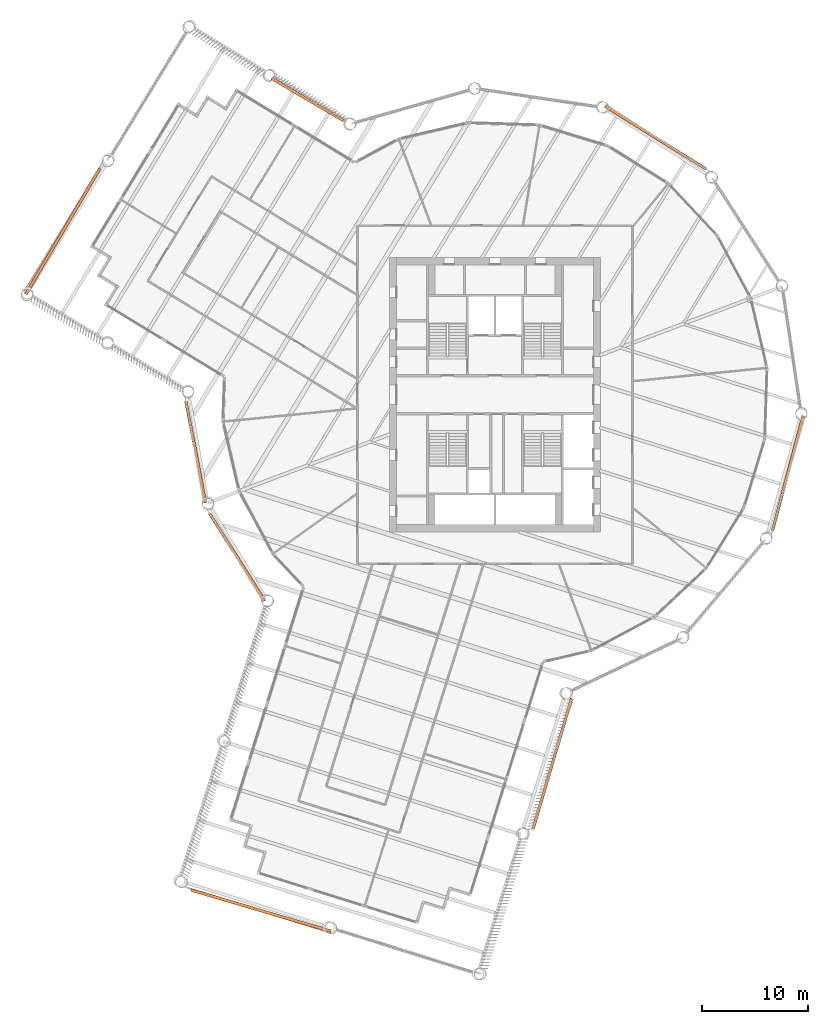
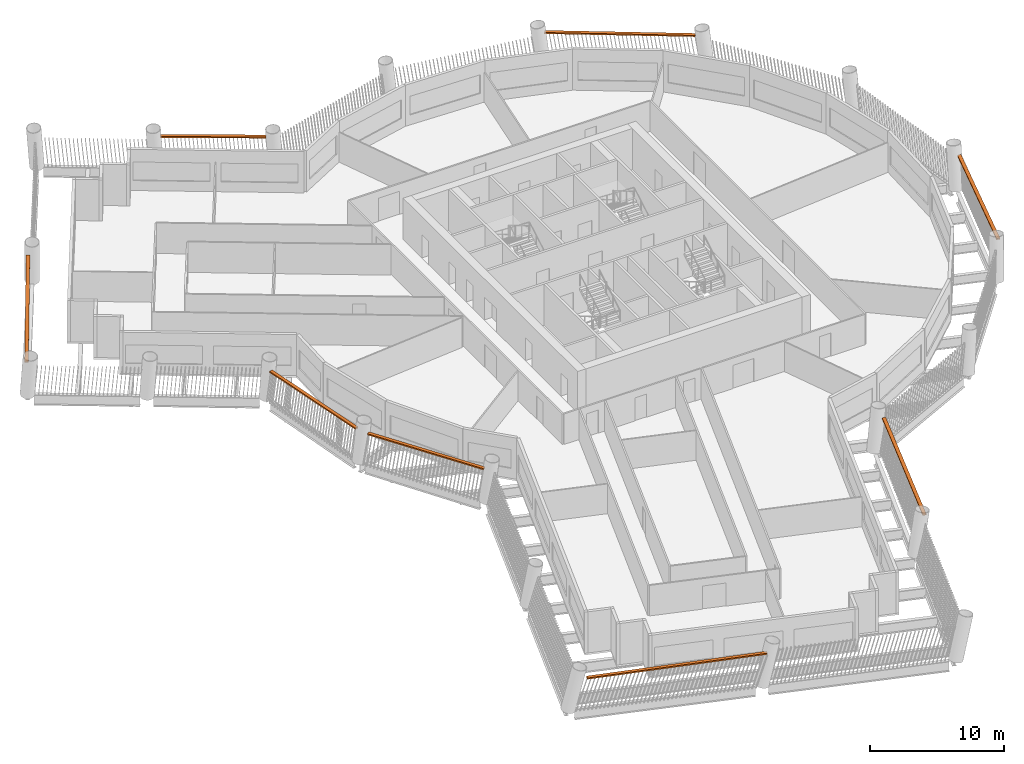
# One storey, part 15 of 15: 8 proxies.
"""IFC4 building model written with IfcOpenShell, lengths in metres."""

from ifc_helpers import new_model, si_unit, direction, frame, origin, origin_2d, place, context, subcontext, project, spatial, rectangle, extrude, material, type_object, element, save


model = new_model("IFC4")

# Units and contexts
model_context = context("Model", 3, precision=1e-05, world=origin(), true_north=direction((0.0, 1.0)))
body_context = subcontext(model_context, "Body", "Model", "MODEL_VIEW")
ifc_project = project(units=[si_unit("LENGTHUNIT", "METRE"), si_unit("AREAUNIT", "SQUARE_METRE"), si_unit("VOLUMEUNIT", "CUBIC_METRE"), si_unit("PLANEANGLEUNIT", "RADIAN"), si_unit("MASSUNIT", "GRAM", prefix="KILO")], contexts=[model_context])

# Site, building, storey
site_placement = place(None, origin())
site = spatial("IfcSite", under=ifc_project, at=site_placement, CompositionType="ELEMENT")
building_placement = place(site_placement, origin())
building = spatial("IfcBuilding", under=site, at=building_placement, Name="Tarsis Ring Headquarters", CompositionType="ELEMENT")
storey_placement = place(building_placement, frame((0.0, 0.0, 151.5)))
storey = spatial("IfcBuildingStorey", under=building, at=storey_placement, Name="L34", CompositionType="ELEMENT", Elevation=151.5)

# Proxies
ifc_material = material(Name="Structural steel S355", Category="steel")
building_element_proxy_type = type_object("IfcBuildingElementProxyType", Name="Screen bracket plate", PredefinedType="USERDEFINED", material=ifc_material)
proxy_1_placement = place(storey_placement, frame((-24.3974609375, -15.378662109375, 2.949951171875), z_axis=(0.0, 0.0, 1.0), x_axis=(0.533245225282, -0.845960714049, 0.0)))
element("IfcBuildingElementProxy", 1, at=proxy_1_placement, inside=storey, type_object=building_element_proxy_type, Name="Screen bracket L34-00", ObjectType="Bracket", PredefinedType="USERDEFINED", context=body_context, shape_type="SweptSolid", body=[
    extrude(rectangle(XDim=9.771728515625, YDim=0.280029296875, at=origin_2d()), origin(), (0.0, 0.0, 1.0), 0.1201171875),
])
proxy_2_placement = place(storey_placement, frame((-22.140869140625, -48.822265625, 2.949951171875), z_axis=(0.0, 0.0, 1.0), x_axis=(0.959017786255, -0.283345876355, 0.0)))
element("IfcBuildingElementProxy", 2, at=proxy_2_placement, inside=storey, type_object=building_element_proxy_type, Name="Screen bracket L34-03", ObjectType="Bracket", PredefinedType="USERDEFINED", context=body_context, shape_type="SweptSolid", body=[
    extrude(rectangle(XDim=13.800048828125, YDim=0.280029296875, at=origin_2d()), origin(), (0.0, 0.0, 1.0), 0.1201171875),
])
proxy_3_placement = place(storey_placement, frame((5.42431640625, -34.91455078125, 2.949951171875), z_axis=(0.0, 0.0, 1.0), x_axis=(0.283345943307, 0.959017766473, 0.0)))
element("IfcBuildingElementProxy", 3, at=proxy_3_placement, inside=storey, type_object=building_element_proxy_type, Name="Screen bracket L34-06", ObjectType="Bracket", PredefinedType="USERDEFINED", context=body_context, shape_type="SweptSolid", body=[
    extrude(rectangle(XDim=12.90234375, YDim=0.280029296875, at=origin_2d()), origin(), (0.0, 0.0, 1.0), 0.1201171875),
])
for number, where, z_axis, x_axis, name in (
    (4, (27.71630859375, -7.412841796875, 2.949951171875), (0.0, 0.0, 1.0), (0.258376311466, 0.966044347674, 0.0), "Screen bracket L34-09"),
    (5, (15.180908203125, 24.34521484375, 2.949951171875), (0.0, 0.0, 1.0), (-0.848544773969, 0.529123583456, 0.0), "Screen bracket L34-12"),
):
    element("IfcBuildingElementProxy", number, at=place(storey_placement, frame(where, z_axis=z_axis, x_axis=x_axis)), inside=storey, type_object=building_element_proxy_type, Name=name, ObjectType="Bracket", PredefinedType="USERDEFINED", context=body_context, shape_type="SweptSolid", body=[
        extrude(rectangle(XDim=11.248779296875, YDim=0.280029296875, at=origin_2d()), origin(), (0.0, 0.0, 1.0), 0.1201171875),
    ])
proxy_4_placement = place(storey_placement, frame((-17.730224609375, 27.939208984375, 2.949951171875), z_axis=(0.0, 0.0, 1.0), x_axis=(-0.86198331445, 0.506936648517, 0.0)))
element("IfcBuildingElementProxy", 6, at=proxy_4_placement, inside=storey, type_object=building_element_proxy_type, Name="Screen bracket L34-15", ObjectType="Bracket", PredefinedType="USERDEFINED", context=body_context, shape_type="SweptSolid", body=[
    extrude(rectangle(XDim=7.90234375, YDim=0.280029296875, at=origin_2d()), origin(), (0.0, 0.0, 1.0), 0.1201171875),
])
proxy_5_placement = place(storey_placement, frame((-40.8984375, 15.4677734375, 2.949951171875), z_axis=(0.0, 0.0, 1.0), x_axis=(-0.506936678605, -0.861983296755, 0.0)))
element("IfcBuildingElementProxy", 7, at=proxy_5_placement, inside=storey, type_object=building_element_proxy_type, Name="Screen bracket L34-18", ObjectType="Bracket", PredefinedType="USERDEFINED", context=body_context, shape_type="SweptSolid", body=[
    extrude(rectangle(XDim=13.800048828125, YDim=0.280029296875, at=origin_2d()), origin(), (0.0, 0.0, 1.0), 0.1201171875),
])
proxy_6_placement = place(storey_placement, frame((-28.32373046875, -5.43115234375, 2.949951171875), z_axis=(0.0, 0.0, 1.0), x_axis=(0.188324396152, -0.982106879018, 0.0)))
element("IfcBuildingElementProxy", 8, at=proxy_6_placement, inside=storey, type_object=building_element_proxy_type, Name="Screen bracket L34-21", ObjectType="Bracket", PredefinedType="USERDEFINED", context=body_context, shape_type="SweptSolid", body=[
    extrude(rectangle(XDim=9.771728515625, YDim=0.280029296875, at=origin_2d()), origin(), (0.0, 0.0, 1.0), 0.1201171875),
])

save(model, "model.ifc")
